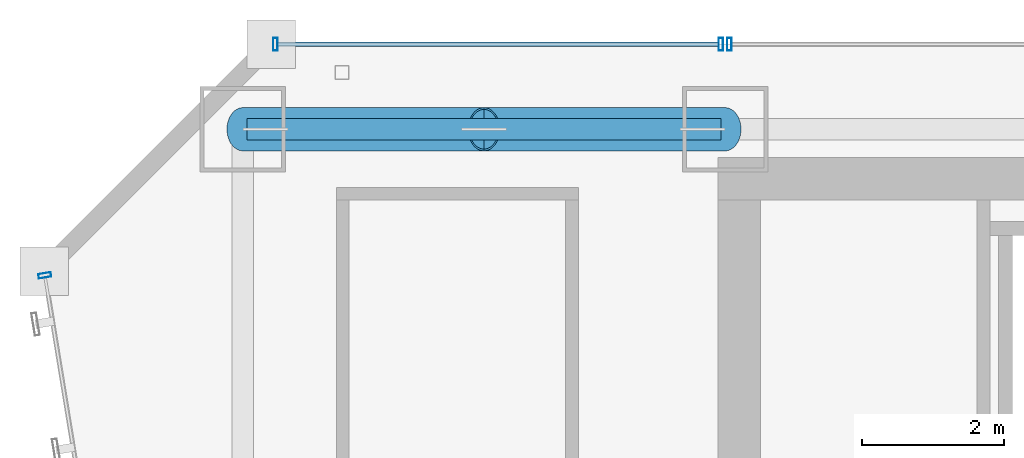
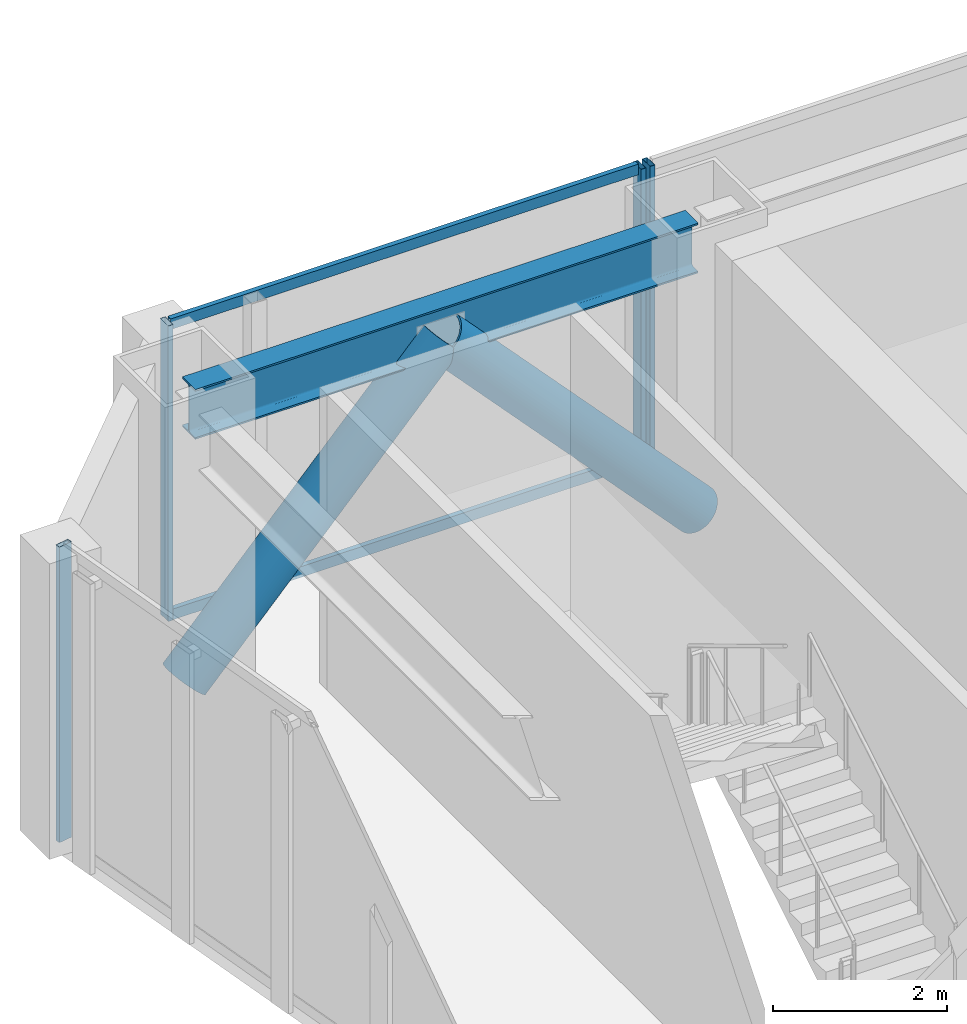
# One storey, part 26 of 47: 8 members, 1 beam, 3 elements without a shape of their own.
"""IFC4 building model written with IfcOpenShell, lengths in metres."""

from ifc_helpers import new_model, si_unit, direction, frame, origin, origin_2d, place, context, subcontext, project, spatial, hollow_rectangle, hollow_circle, i_section, extrude, material, material_profile, profile_set, type_object, element, aggregate, save


model = new_model("IFC4")

# Units and contexts
model_context = context("Model", 3, precision=1e-05, world=origin(), true_north=direction((0.0, 1.0)))
body_context = subcontext(model_context, "Body", "Model", "MODEL_VIEW")
ifc_project = project(units=[si_unit("LENGTHUNIT", "METRE"), si_unit("AREAUNIT", "SQUARE_METRE"), si_unit("VOLUMEUNIT", "CUBIC_METRE"), si_unit("PLANEANGLEUNIT", "RADIAN"), si_unit("MASSUNIT", "GRAM", prefix="KILO")], contexts=[model_context])

# Site, building, storey
site_placement = place(None, origin())
site = spatial("IfcSite", under=ifc_project, at=site_placement, CompositionType="ELEMENT")
building_placement = place(site_placement, origin())
building = spatial("IfcBuilding", under=site, at=building_placement, Name="Saevonmaru Cultural Tower", CompositionType="ELEMENT")
storey_placement = place(building_placement, frame((0.0, 0.0, 47.199951171875)))
storey = spatial("IfcBuildingStorey", under=building, at=storey_placement, Name="L09", CompositionType="ELEMENT", Elevation=47.199951171875)

# Beam
ifc_material_1 = material(Name="Steel SM355", Category="steel")
ifc_material_profile_1 = material_profile(ifc_material_1, i_section(OverallWidth=0.300048828125, OverallDepth=0.699951171875, WebThickness=0.012939453125, FlangeThickness=0.02392578125, FilletRadius=0.02587890625, at=origin_2d()), Name="H-700x300x13x24")
ifc_profile_set_1 = profile_set([ifc_material_profile_1], Name="Steel SM355")
beam_type = type_object("IfcBeamType", Name="BM-SP-H700", PredefinedType="SPANDREL", material=ifc_profile_set_1)
beam_placement = place(storey_placement, frame((6.860107421875, 54.800048828125, 3.800048828125), z_axis=(1.0, 0.0, 0.0), x_axis=(0.0, 1.0, 0.0)))
element("IfcBeam", 1, at=beam_placement, inside=storey, type_object=beam_type, Name="L09 North Spine Girder 1", PredefinedType="SPANDREL", context=body_context, shape_type="SweptSolid", body=[
    extrude(i_section(OverallWidth=0.300048828125, OverallDepth=0.699951171875, WebThickness=0.012939453125, FlangeThickness=0.02392578125, FilletRadius=0.02587890625, at=origin_2d()), origin(), (0.0, 0.0, 1.0), 6.679931640625),
])

# Members
ifc_material_2 = material(Name="Steel HSA600 (600 MPa)", Category="steel")
ifc_material_profile_2 = material_profile(ifc_material_2, hollow_circle(Radius=0.3046875, WallThickness=0.02490234375, at=origin_2d()), Name="CHS-609.6x25")
ifc_profile_set_2 = profile_set([ifc_material_profile_2], Name="Steel HSA600 (600 MPa)")
member_type_1 = type_object("IfcMemberType", Name="MB-PBR-CHS610", PredefinedType="BRACE", material=ifc_profile_set_2)
member_1_placement = place(storey_placement, frame((6.800048828125, 54.800048828125, 0.02001953125), z_axis=(0.681578526789, 0.0, 0.731744977311), x_axis=(0.0, 1.0, 0.0)))
element("IfcMember", 2, at=member_1_placement, inside=storey, type_object=member_type_1, Name="L09 Perimeter Braced-Tube Diagonal WN1", PredefinedType="BRACE", context=body_context, shape_type="SweptSolid", body=[
    extrude(hollow_circle(Radius=0.3046875, WallThickness=0.02490234375, at=origin_2d()), origin(), (0.0, 0.0, 1.0), 4.98828125),
])
member_2_placement = place(storey_placement, frame((13.60009765625, 54.800048828125, 0.02001953125), z_axis=(-0.681604731977, 0.0, 0.731720567803), x_axis=(0.0, -1.0, 0.0)))
element("IfcMember", 3, at=member_2_placement, inside=storey, type_object=member_type_1, Name="L09 Perimeter Braced-Tube Diagonal WN2", PredefinedType="BRACE", context=body_context, shape_type="SweptSolid", body=[
    extrude(hollow_circle(Radius=0.3046875, WallThickness=0.02490234375, at=origin_2d()), origin(), (0.0, 0.0, 1.0), 4.988525390625),
])

# Curtain wall, member
ifc_material_3 = material(Name="Satin Bronze Anodised Aluminium", Category="aluminium")
curtain_wall_type = type_object("IfcCurtainWallType", Name="CW-TYP-A", PredefinedType="NOTDEFINED", material=ifc_material_3)
curtain_wall_1_placement = place(storey_placement, origin())
curtain_wall_1 = element("IfcCurtainWall", 4, at=curtain_wall_1_placement, inside=storey, type_object=curtain_wall_type, Name="L09 North Spine Unitised Curtain Wall E10B", PredefinedType="NOTDEFINED")
ifc_material_profile_3 = material_profile(ifc_material_3, hollow_rectangle(XDim=0.06494140625, YDim=0.179931640625, WallThickness=0.00390625, at=origin_2d()), Name="ALU-MULL-180x65x4")
ifc_profile_set_3 = profile_set([ifc_material_profile_3], Name="Satin Bronze Anodised Aluminium")
member_type_2 = type_object("IfcMemberType", Name="ML-CW-180x65", PredefinedType="MULLION", material=ifc_profile_set_3)
member_3_placement = place(storey_placement, frame((13.659912109375, 56.0, 0.0), z_axis=(0.0, 0.0, 1.0), x_axis=(-1.0, 0.0, 0.0)))
member_3 = element("IfcMember", 5, at=member_3_placement, type_object=member_type_2, Name="CW-TW-L09-E10B mullion 4", PredefinedType="MULLION", context=body_context, shape_type="SweptSolid", body=[
    extrude(hollow_rectangle(XDim=0.06494140625, YDim=0.179931640625, WallThickness=0.00390625, at=origin_2d()), origin(), (0.0, 0.0, 1.0), 4.150146484375),
])
aggregate(curtain_wall_1, [member_3])

# Curtain wall, members
curtain_wall_2_placement = place(storey_placement, origin())
curtain_wall_2 = element("IfcCurtainWall", 6, at=curtain_wall_2_placement, inside=storey, type_object=curtain_wall_type, Name="L09 West Braced Bay Spandrel Curtain Wall E10C", PredefinedType="NOTDEFINED")
member_4_placement = place(storey_placement, frame((13.5400390625, 56.0, 0.0), z_axis=(0.0, 0.0, 1.0), x_axis=(-1.0, 0.0, 0.0)))
member_4 = element("IfcMember", 7, at=member_4_placement, type_object=member_type_2, Name="CW-TW-L09-E10C mullion 1", PredefinedType="MULLION", context=body_context, shape_type="SweptSolid", body=[
    extrude(hollow_rectangle(XDim=0.06494140625, YDim=0.179931640625, WallThickness=0.00390625, at=origin_2d()), origin(), (0.0, 0.0, 1.0), 4.150146484375),
])
member_5_placement = place(storey_placement, frame((7.260009765625, 56.0, 0.0), z_axis=(0.0, 0.0, 1.0), x_axis=(-1.0, 0.0, 0.0)))
member_5 = element("IfcMember", 8, at=member_5_placement, type_object=member_type_2, Name="CW-TW-L09-E10C mullion 2", PredefinedType="MULLION", context=body_context, shape_type="SweptSolid", body=[
    extrude(hollow_rectangle(XDim=0.06494140625, YDim=0.179931640625, WallThickness=0.00390625, at=origin_2d()), origin(), (0.0, 0.0, 1.0), 4.150146484375),
])

# Curtain wall, member
curtain_wall_3_placement = place(storey_placement, origin())
curtain_wall_3 = element("IfcCurtainWall", 9, at=curtain_wall_3_placement, inside=storey, type_object=curtain_wall_type, Name="L09 Unitised Curtain Wall E12", PredefinedType="NOTDEFINED")
member_6_placement = place(storey_placement, frame((4.009765625, 52.74072265625, 0.0), z_axis=(0.0, 0.0, 1.0), x_axis=(0.161708868641, -0.986838508472, 0.0)))
member_6 = element("IfcMember", 10, at=member_6_placement, type_object=member_type_2, Name="CW-TW-L09-E12 mullion 1", PredefinedType="MULLION", context=body_context, shape_type="SweptSolid", body=[
    extrude(hollow_rectangle(XDim=0.06494140625, YDim=0.179931640625, WallThickness=0.00390625, at=origin_2d()), origin(), (0.0, 0.0, 1.0), 4.150146484375),
])
aggregate(curtain_wall_3, [member_6])

# Member
ifc_material_profile_4 = material_profile(ifc_material_3, hollow_rectangle(XDim=0.06494140625, YDim=0.14990234375, WallThickness=0.00390625, at=origin_2d()), Name="ALU-TRAN-150x65x4")
ifc_profile_set_4 = profile_set([ifc_material_profile_4], Name="Satin Bronze Anodised Aluminium")
member_type_3 = type_object("IfcMemberType", Name="TR-CW-150x65", PredefinedType="USERDEFINED", material=ifc_profile_set_4)
member_7_placement = place(storey_placement, frame((13.507568359375, 56.0, 0.032470703125), z_axis=(-1.0, 0.0, 0.0), x_axis=(0.0, -1.0, 0.0)))
member_7 = element("IfcMember", 11, at=member_7_placement, type_object=member_type_3, Name="CW-TW-L09-E10C transom 1.1", ObjectType="TRANSOM", PredefinedType="USERDEFINED", context=body_context, shape_type="SweptSolid", body=[
    extrude(hollow_rectangle(XDim=0.06494140625, YDim=0.14990234375, WallThickness=0.00390625, at=origin_2d()), origin(), (0.0, 0.0, 1.0), 6.215087890625),
])

member_8_placement = place(storey_placement, frame((13.507568359375, 56.0, 4.117431640625), z_axis=(-1.0, 0.0, 0.0), x_axis=(0.0, -1.0, 0.0)))
member_8 = element("IfcMember", 12, at=member_8_placement, type_object=member_type_3, Name="CW-TW-L09-E10C transom 1.2", ObjectType="TRANSOM", PredefinedType="USERDEFINED", context=body_context, shape_type="SweptSolid", body=[
    extrude(hollow_rectangle(XDim=0.06494140625, YDim=0.14990234375, WallThickness=0.00390625, at=origin_2d()), origin(), (0.0, 0.0, 1.0), 6.215087890625),
])

aggregate(curtain_wall_2, [member_4, member_5, member_7, member_8])

save(model, "model.ifc")
